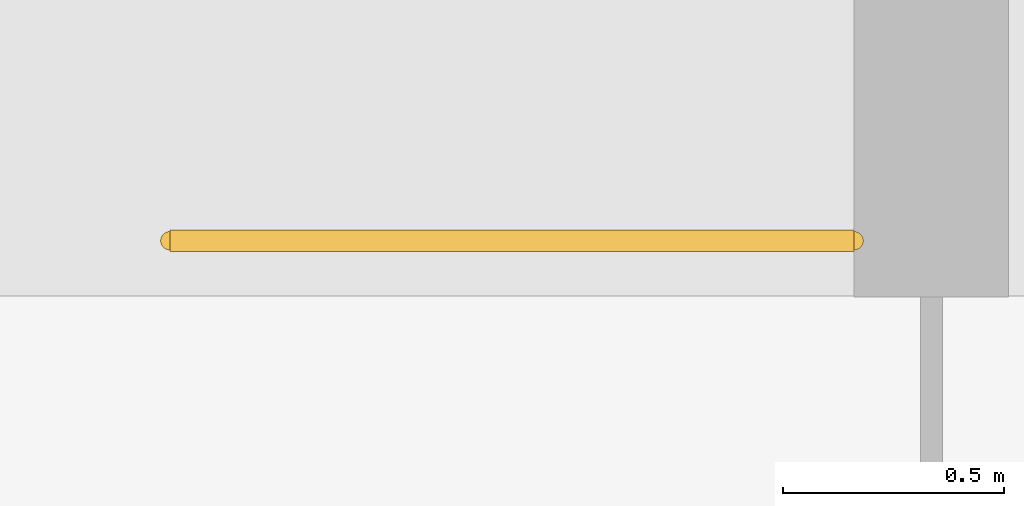
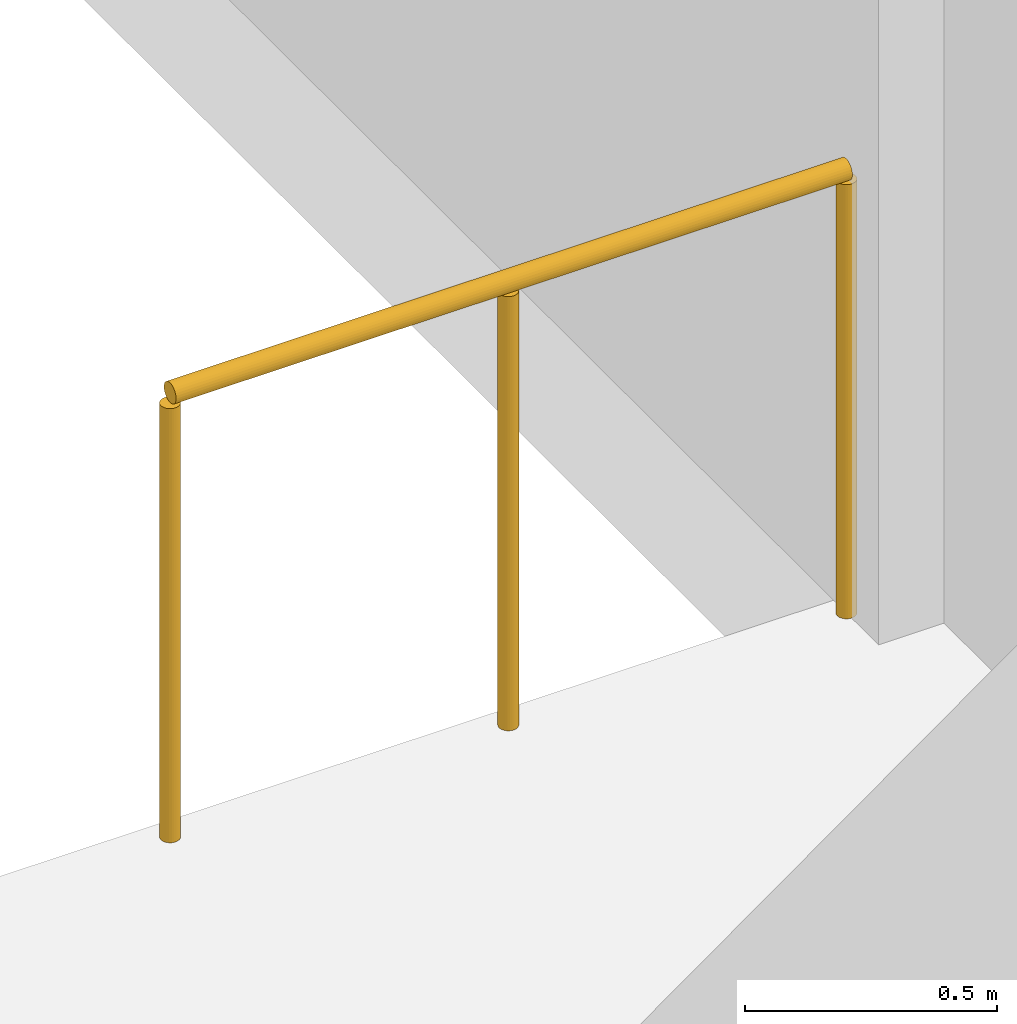
# One storey, part 134 of 134: 1 railing.
"""IFC4 building model written with IfcOpenShell, lengths in metres."""

from ifc_helpers import new_model, si_unit, direction, frame, origin, origin_2d, place, context, subcontext, project, spatial, circle, extrude, material, type_object, element, save


model = new_model("IFC4")

# Units and contexts
model_context = context("Model", 3, precision=1e-05, world=origin(), true_north=direction((0.0, 1.0)))
body_context = subcontext(model_context, "Body", "Model", "MODEL_VIEW")
ifc_project = project(units=[si_unit("LENGTHUNIT", "METRE"), si_unit("AREAUNIT", "SQUARE_METRE"), si_unit("VOLUMEUNIT", "CUBIC_METRE"), si_unit("PLANEANGLEUNIT", "RADIAN"), si_unit("MASSUNIT", "GRAM", prefix="KILO")], contexts=[model_context])

# Site, building, storey
site_placement = place(None, origin())
site = spatial("IfcSite", under=ifc_project, at=site_placement, CompositionType="ELEMENT")
building_placement = place(site_placement, origin())
building = spatial("IfcBuilding", under=site, at=building_placement, Name="Karori Crest Natural Sciences Institute", CompositionType="ELEMENT")
storey_placement = place(building_placement, frame((0.0, 0.0, 21.699951171875)))
storey = spatial("IfcBuildingStorey", under=building, at=storey_placement, Name="L05", CompositionType="ELEMENT", Elevation=21.699951171875)

# Railing
ifc_material = material(Name="Stainless steel 316 stair guard", Category="steel")
railing_type = type_object("IfcRailingType", Name="RLT-STG", PredefinedType="GUARDRAIL", material=ifc_material)
railing_placement = place(storey_placement, frame((12.10009765625, 140.949951171875, 0.0)))
element("IfcRailing", 1, at=railing_placement, inside=storey, type_object=railing_type, Name="Stair top well guard RL-0306", PredefinedType="GUARDRAIL", context=body_context, shape_type="SweptSolid", body=[
    extrude(circle(Radius=0.02392578125, at=origin_2d()), frame((0.0, 0.0, 1.076171875), z_axis=(-1.0, 0.0, 0.0), x_axis=(0.0, -1.0, 0.0)), (0.0, 0.0, 1.0), 1.550048828125),
    extrude(circle(Radius=0.02099609375, at=origin_2d()), origin(), (0.0, 0.0, 1.0), 1.052001953125),
    extrude(circle(Radius=0.02099609375, at=origin_2d()), frame((-0.77490234375, 0.0, 0.0)), (0.0, 0.0, 1.0), 1.052001953125),
    extrude(circle(Radius=0.02099609375, at=origin_2d()), frame((-1.550048828125, 0.0, 0.0)), (0.0, 0.0, 1.0), 1.052001953125),
])

save(model, "model.ifc")
